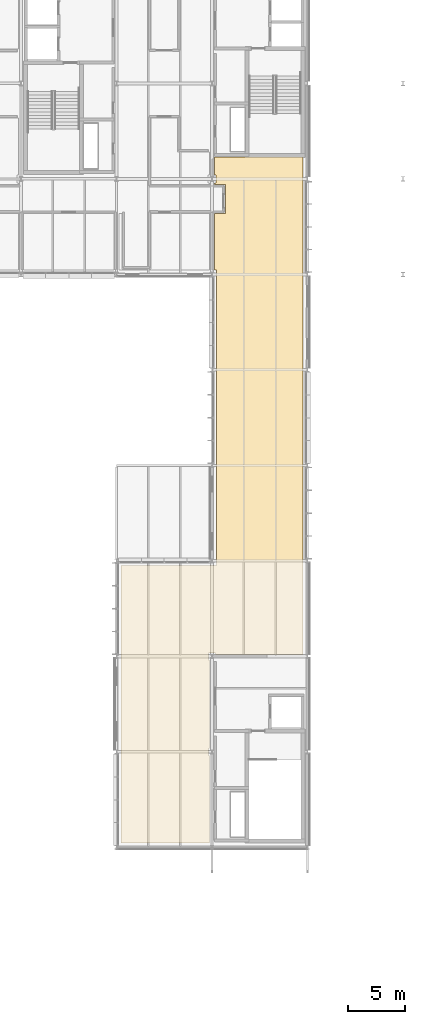
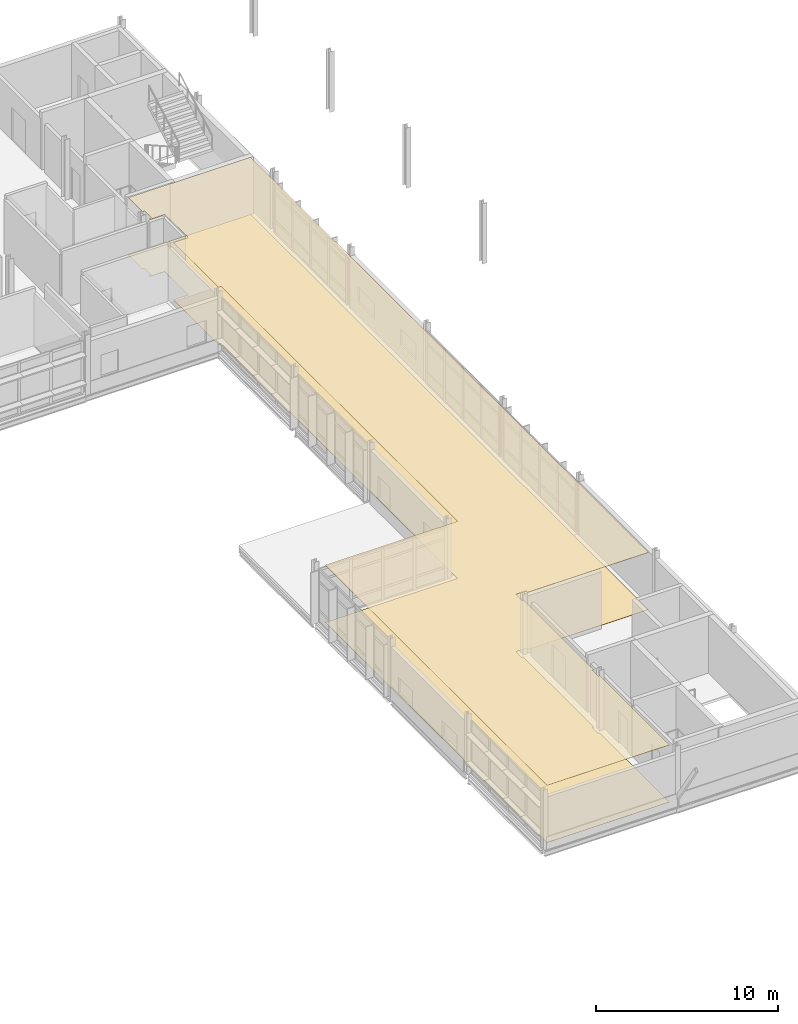
# One storey, part 63 of 66: 2 coverings.
"""IFC4 building model written with IfcOpenShell, lengths in metres."""

from ifc_helpers import new_model, si_unit, direction, frame, origin, place, context, subcontext, project, spatial, polyline, outline, extrude, material, layer, layer_set, type_object, element, save


model = new_model("IFC4")

# Units and contexts
model_context = context("Model", 3, precision=1e-05, world=origin(), true_north=direction((0.0, 1.0)))
body_context = subcontext(model_context, "Body", "Model", "MODEL_VIEW")
ifc_project = project(units=[si_unit("LENGTHUNIT", "METRE"), si_unit("AREAUNIT", "SQUARE_METRE"), si_unit("VOLUMEUNIT", "CUBIC_METRE"), si_unit("PLANEANGLEUNIT", "RADIAN"), si_unit("MASSUNIT", "GRAM", prefix="KILO")], contexts=[model_context])

# Site, building, storey
site_placement = place(None, origin())
site = spatial("IfcSite", under=ifc_project, at=site_placement, CompositionType="ELEMENT")
building_placement = place(site_placement, origin())
building = spatial("IfcBuilding", under=site, at=building_placement, Name="Mersafa Astral City Hall", CompositionType="ELEMENT")
storey_placement = place(building_placement, frame((0.0, 0.0, 22.050048828125)))
storey = spatial("IfcBuildingStorey", under=building, at=storey_placement, Name="L05", CompositionType="ELEMENT", Elevation=22.050048828125)

# Coverings
ifc_material_1 = material(Name="Perforated acoustic gypsum board ceiling", Category="gypsum")
ifc_layer_1 = layer(ifc_material_1, 0.02490234375, Name="Perforated acoustic gypsum board ceiling")
ifc_layer_set_1 = layer_set([ifc_layer_1], Name="Perforated acoustic gypsum board ceiling — INT-COV-CEIL-25")
covering_type_1 = type_object("IfcCoveringType", Name="INT-COV-CEIL-25", PredefinedType="CEILING", material=ifc_layer_set_1)
covering_1_placement = place(storey_placement, frame((0.0, 0.0, 3.8310546875)))
element("IfcCovering", 1, at=covering_1_placement, inside=storey, type_object=covering_type_1, Name="L05 Executive Secretariat Office L05-01 acoustic ceiling", PredefinedType="CEILING", context=body_context, shape_type="SweptSolid", body=[
    extrude(outline(polyline([(167.77001953125, 50.800048828125), (160.0, 50.800048828125), (160.0, 75.199951171875), (168.39990234375, 75.199951171875), (168.39990234375, 101.199951171875), (168.22998046875, 101.199951171875), (168.22998046875, 106.159912109375), (169.169921875, 106.159912109375), (169.169921875, 108.719970703125), (168.22998046875, 108.719970703125), (168.22998046875, 108.830078125), (168.3701171875, 108.830078125), (168.3701171875, 109.570068359375), (168.22998046875, 109.570068359375), (168.22998046875, 111.1201171875), (176.0, 111.1201171875), (176.0, 67.360107421875), (168.320068359375, 67.360107421875), (168.320068359375, 67.52001953125), (167.679931640625, 67.52001953125), (167.679931640625, 66.8798828125), (167.77001953125, 66.8798828125), (167.77001953125, 59.1201171875), (167.679931640625, 59.1201171875), (167.679931640625, 58.47998046875), (167.77001953125, 58.47998046875), (167.77001953125, 50.800048828125)])), origin(), (0.0, 0.0, 1.0), 0.02490234375),
])
ifc_material_2 = material(Name="Heavy-duty woven acoustic carpet tile", Category="finish")
ifc_layer_2 = layer(ifc_material_2, 0.014892578125, Name="Heavy-duty woven acoustic carpet tile")
ifc_layer_set_2 = layer_set([ifc_layer_2], Name="Heavy-duty woven acoustic carpet tile — INT-COV-FLR-15")
covering_type_2 = type_object("IfcCoveringType", Name="INT-COV-FLR-15", PredefinedType="FLOORING", material=ifc_layer_set_2)
covering_2_placement = place(storey_placement, frame((0.0, 0.0, -0.00146484375)))
element("IfcCovering", 2, at=covering_2_placement, inside=storey, type_object=covering_type_2, Name="L05 Executive Secretariat Office L05-01 architectural flooring", PredefinedType="FLOORING", context=body_context, shape_type="SweptSolid", body=[
    extrude(outline(polyline([(167.77001953125, 50.800048828125), (160.0, 50.800048828125), (160.0, 75.199951171875), (168.39990234375, 75.199951171875), (168.39990234375, 101.199951171875), (168.22998046875, 101.199951171875), (168.22998046875, 106.159912109375), (169.169921875, 106.159912109375), (169.169921875, 108.719970703125), (168.22998046875, 108.719970703125), (168.22998046875, 108.830078125), (168.3701171875, 108.830078125), (168.3701171875, 109.570068359375), (168.22998046875, 109.570068359375), (168.22998046875, 111.1201171875), (176.0, 111.1201171875), (176.0, 67.360107421875), (168.320068359375, 67.360107421875), (168.320068359375, 67.52001953125), (167.679931640625, 67.52001953125), (167.679931640625, 66.8798828125), (167.77001953125, 66.8798828125), (167.77001953125, 59.1201171875), (167.679931640625, 59.1201171875), (167.679931640625, 58.47998046875), (167.77001953125, 58.47998046875), (167.77001953125, 50.800048828125)])), origin(), (0.0, 0.0, 1.0), 0.014892578125),
])

save(model, "model.ifc")
